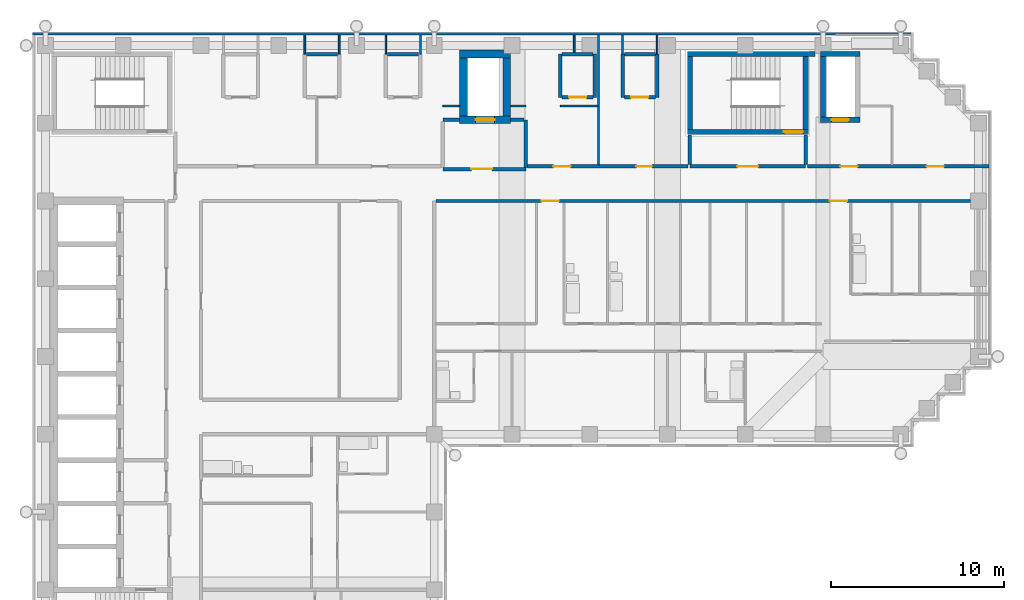
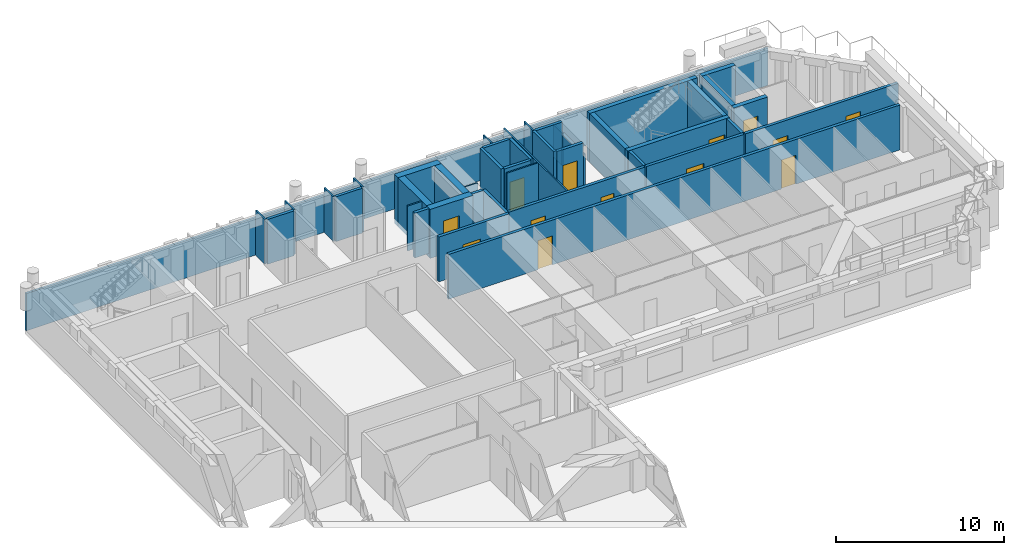
# One storey, part 6 of 9: 43 walls, 13 doors, 13 openings.
"""IFC4 building model written with IfcOpenShell, lengths in metres."""

from ifc_helpers import new_model, si_unit, direction, frame, frame_2d, origin, place, context, subcontext, project, spatial, rectangle, extrude, material, layer, layer_set, type_object, element, fill, save


model = new_model("IFC4")

# Units and contexts
model_context = context("Model", 3, precision=1e-05, world=origin(), true_north=direction((0.0, 1.0)))
body_context = subcontext(model_context, "Body", "Model", "MODEL_VIEW")
ifc_project = project(units=[si_unit("LENGTHUNIT", "METRE"), si_unit("AREAUNIT", "SQUARE_METRE"), si_unit("VOLUMEUNIT", "CUBIC_METRE"), si_unit("PLANEANGLEUNIT", "RADIAN"), si_unit("MASSUNIT", "GRAM", prefix="KILO")], contexts=[model_context])

# Site, building, storey
site_placement = place(None, origin())
site = spatial("IfcSite", under=ifc_project, at=site_placement, CompositionType="ELEMENT")
building_placement = place(site_placement, origin())
building = spatial("IfcBuilding", under=site, at=building_placement, Name="Firuza Court", CompositionType="ELEMENT")
storey_placement = place(building_placement, frame((0.0, 0.0, 229.39990234375)))
storey = spatial("IfcBuildingStorey", under=building, at=storey_placement, Name="L59", CompositionType="ELEMENT", Elevation=229.39990234375)

# Wall, opening, door
ifc_material_1 = material(Name="Concrete C50/60", Category="concrete")
ifc_layer_1 = layer(ifc_material_1, 0.300048828125)
ifc_layer_set_1 = layer_set([ifc_layer_1], Name="Concrete C50/60")
wall_type_1 = type_object("IfcWallType", Name="Core wall 300 C50/60", PredefinedType="SHEAR", material=ifc_layer_set_1)
wall_1_placement = place(storey_placement, frame((37.14990234375, 53.5, -0.2998046875), z_axis=(0.0, 0.0, 1.0), x_axis=(1.0, 0.0, 0.0)))
wall_1 = element("IfcWall", 1, at=wall_1_placement, inside=storey, type_object=wall_type_1, Name="Core wall stair L59", PredefinedType="SHEAR", context=body_context, shape_type="SweptSolid", body=[
    extrude(rectangle(XDim=7.0, YDim=0.300048828125, at=frame_2d((3.5, 0.0))), origin(), (0.0, 0.0, 1.0), 3.5498046875),
])
opening_1_placement = place(wall_1_placement, frame((5.580078125, 0.0, 0.300048828125)))
opening_1 = element("IfcOpeningElement", 2, at=opening_1_placement, cuts=wall_1, Name="Opening D59009", PredefinedType="OPENING", context=body_context, shape_type="SweptSolid", body=[
    extrude(rectangle(XDim=1.10009765625, YDim=2.10009765625, at=frame_2d((0.550048828125, 1.050048828125))), frame((0.0, 0.162109375, 0.0), z_axis=(0.0, -1.0, 0.0), x_axis=(1.0, 0.0, 0.0)), (0.0, 0.0, 1.0), 0.323974609375),
])
ifc_material_2 = material(Name="Timber door leaf in hardwood frame", Category="wood")
door_type_1 = type_object("IfcDoorType", Name="Stair door 1100", OperationType="SINGLE_SWING_LEFT", PredefinedType="DOOR", material=ifc_material_2)
door_1_placement = place(opening_1_placement, origin())
door_1 = element("IfcDoor", 3, at=door_1_placement, inside=storey, type_object=door_type_1, Name="Stair door S1", OperationType="SINGLE_SWING_RIGHT", OverallHeight=2.10009765625, OverallWidth=1.10009765625, PredefinedType="DOOR", context=body_context, shape_type="SweptSolid", body=[
    extrude(rectangle(XDim=1.10009765625, YDim=2.10009765625, at=frame_2d((0.550048828125, 1.050048828125))), frame((0.0, 0.02490234375, 0.0), z_axis=(0.0, -1.0, 0.0), x_axis=(1.0, 0.0, 0.0)), (0.0, 0.0, 1.0), 0.050048828125),
])
fill(opening_1, door_1)

# Walls
wall_2_placement = place(storey_placement, frame((37.14990234375, 58.0, -0.2998046875), z_axis=(0.0, 0.0, 1.0), x_axis=(1.0, 0.0, 0.0)))
element("IfcWall", 4, at=wall_2_placement, inside=storey, type_object=wall_type_1, Name="Core wall stair L59", PredefinedType="SHEAR", context=body_context, shape_type="SweptSolid", body=[
    extrude(rectangle(XDim=7.400146484375, YDim=0.300048828125, at=frame_2d((3.7001953125, 0.0))), origin(), (0.0, 0.0, 1.0), 3.5498046875),
])
for number, where, z_axis, x_axis, name in (
    (5, (37.300048828125, 53.64990234375, -0.2998046875), (0.0, 0.0, 1.0), (0.0, 1.0, 0.0), "Core wall stair L59"),
    (6, (44.0, 53.64990234375, -0.2998046875), (0.0, 0.0, 1.0), (0.0, 1.0, 0.0), "Core wall stair L59"),
):
    element("IfcWall", number, at=place(storey_placement, frame(where, z_axis=z_axis, x_axis=x_axis)), inside=storey, type_object=wall_type_1, Name=name, PredefinedType="SHEAR", context=body_context, shape_type="SweptSolid", body=[
        extrude(rectangle(XDim=4.2001953125, YDim=0.300048828125, at=frame_2d((2.10009765625, 0.0))), origin(), (0.0, 0.0, 1.0), 3.5498046875),
    ])

# Wall, opening, door
wall_3_placement = place(storey_placement, frame((44.85009765625, 54.199951171875, -0.2998046875), z_axis=(0.0, 0.0, 1.0), x_axis=(1.0, 0.0, 0.0)))
wall_3 = element("IfcWall", 7, at=wall_3_placement, inside=storey, type_object=wall_type_1, Name="Core wall riser L59", PredefinedType="SHEAR", context=body_context, shape_type="SweptSolid", body=[
    extrude(rectangle(XDim=2.2998046875, YDim=0.300048828125, at=frame_2d((1.14990234375, 0.0))), origin(), (0.0, 0.0, 1.0), 3.5498046875),
])
opening_2_placement = place(wall_3_placement, frame((0.64990234375, 0.0, 0.300048828125)))
opening_2 = element("IfcOpeningElement", 8, at=opening_2_placement, cuts=wall_3, Name="Opening D59008", PredefinedType="OPENING", context=body_context, shape_type="SweptSolid", body=[
    extrude(rectangle(XDim=1.0, YDim=2.10009765625, at=frame_2d((0.5, 1.050048828125))), frame((0.0, 0.162109375, 0.0), z_axis=(0.0, -1.0, 0.0), x_axis=(1.0, 0.0, 0.0)), (0.0, 0.0, 1.0), 0.323974609375),
])
ifc_material_3 = material(Name="Timber door leaf in hardwood frame", Category="wood")
door_type_2 = type_object("IfcDoorType", Name="Riser door 1000", OperationType="SINGLE_SWING_LEFT", PredefinedType="DOOR", material=ifc_material_3)
door_2_placement = place(opening_2_placement, origin())
door_2 = element("IfcDoor", 9, at=door_2_placement, inside=storey, type_object=door_type_2, Name="Riser door R3", OperationType="SINGLE_SWING_LEFT", OverallHeight=2.10009765625, OverallWidth=1.0, PredefinedType="DOOR", context=body_context, shape_type="SweptSolid", body=[
    extrude(rectangle(XDim=1.0, YDim=2.10009765625, at=frame_2d((0.5, 1.050048828125))), frame((0.0, 0.02490234375, 0.0), z_axis=(0.0, -1.0, 0.0), x_axis=(1.0, 0.0, 0.0)), (0.0, 0.0, 1.0), 0.050048828125),
])
fill(opening_2, door_2)

# Walls
wall_4_placement = place(storey_placement, frame((44.85009765625, 58.0, -0.2998046875), z_axis=(0.0, 0.0, 1.0), x_axis=(1.0, 0.0, 0.0)))
element("IfcWall", 10, at=wall_4_placement, inside=storey, type_object=wall_type_1, Name="Core wall riser L59", PredefinedType="SHEAR", context=body_context, shape_type="SweptSolid", body=[
    extrude(rectangle(XDim=2.2998046875, YDim=0.300048828125, at=frame_2d((1.14990234375, 0.0))), origin(), (0.0, 0.0, 1.0), 3.5498046875),
])
wall_5_placement = place(storey_placement, frame((45.0, 54.35009765625, -0.2998046875), z_axis=(0.0, 0.0, 1.0), x_axis=(0.0, 1.0, 0.0)))
element("IfcWall", 11, at=wall_5_placement, inside=storey, type_object=wall_type_1, Name="Core wall riser L59", PredefinedType="SHEAR", context=body_context, shape_type="SweptSolid", body=[
    extrude(rectangle(XDim=3.5, YDim=0.300048828125, at=frame_2d((1.75, 0.0))), origin(), (0.0, 0.0, 1.0), 3.5498046875),
])

# Wall, opening, door
ifc_layer_2 = layer(ifc_material_1, 0.449951171875)
ifc_layer_set_2 = layer_set([ifc_layer_2], Name="Concrete C50/60")
wall_type_2 = type_object("IfcWallType", Name="Core wall 450 C50/60", PredefinedType="SHEAR", material=ifc_layer_set_2)
wall_6_placement = place(storey_placement, frame((23.97509765625, 54.199951171875, -0.2998046875), z_axis=(0.0, 0.0, 1.0), x_axis=(1.0, 0.0, 0.0)))
wall_6 = element("IfcWall", 12, at=wall_6_placement, inside=storey, type_object=wall_type_2, Name="Core wall lift shaft L59", PredefinedType="SHEAR", context=body_context, shape_type="SweptSolid", body=[
    extrude(rectangle(XDim=2.949951171875, YDim=0.449951171875, at=frame_2d((1.47509765625, 0.0))), origin(), (0.0, 0.0, 1.0), 3.5498046875),
])
opening_3_placement = place(wall_6_placement, frame((0.925048828125, 0.0, 0.300048828125)))
opening_3 = element("IfcOpeningElement", 13, at=opening_3_placement, cuts=wall_6, Name="Opening LD-FL3-59", PredefinedType="OPENING", context=body_context, shape_type="SweptSolid", body=[
    extrude(rectangle(XDim=1.10009765625, YDim=2.10009765625, at=frame_2d((0.550048828125, 1.050048828125))), frame((0.0, 0.23681640625, 0.0), z_axis=(0.0, -1.0, 0.0), x_axis=(1.0, 0.0, 0.0)), (0.0, 0.0, 1.0), 0.473876953125),
])
ifc_material_4 = material(Name="Stainless steel 1.4301 door leaf", Category="steel")
door_type_3 = type_object("IfcDoorType", Name="Lift landing door 1100", OperationType="SLIDING_TO_LEFT", PredefinedType="DOOR", material=ifc_material_4)
door_3_placement = place(opening_3_placement, origin())
door_3 = element("IfcDoor", 14, at=door_3_placement, inside=storey, type_object=door_type_3, Name="Landing door FL3", OperationType="SLIDING_TO_LEFT", OverallHeight=2.10009765625, OverallWidth=1.10009765625, PredefinedType="DOOR", context=body_context, shape_type="SweptSolid", body=[
    extrude(rectangle(XDim=1.10009765625, YDim=2.10009765625, at=frame_2d((0.550048828125, 1.050048828125))), frame((0.0, 0.02490234375, 0.0), z_axis=(0.0, -1.0, 0.0), x_axis=(1.0, 0.0, 0.0)), (0.0, 0.0, 1.0), 0.050048828125),
])
fill(opening_3, door_3)

# Walls
wall_7_placement = place(storey_placement, frame((23.97509765625, 58.0, -0.2998046875), z_axis=(0.0, 0.0, 1.0), x_axis=(1.0, 0.0, 0.0)))
element("IfcWall", 15, at=wall_7_placement, inside=storey, type_object=wall_type_2, Name="Core wall lift shaft L59", PredefinedType="SHEAR", context=body_context, shape_type="SweptSolid", body=[
    extrude(rectangle(XDim=2.949951171875, YDim=0.449951171875, at=frame_2d((1.47509765625, 0.0))), origin(), (0.0, 0.0, 1.0), 3.5498046875),
])
for number, where, z_axis, x_axis, name in (
    (16, (24.199951171875, 54.425048828125, -0.2998046875), (0.0, 0.0, 1.0), (0.0, 1.0, 0.0), "Core wall lift shaft L59"),
    (17, (26.699951171875, 54.425048828125, -0.2998046875), (0.0, 0.0, 1.0), (0.0, 1.0, 0.0), "Core wall lift shaft L59"),
):
    element("IfcWall", number, at=place(storey_placement, frame(where, z_axis=z_axis, x_axis=x_axis)), inside=storey, type_object=wall_type_2, Name=name, PredefinedType="SHEAR", context=body_context, shape_type="SweptSolid", body=[
        extrude(rectangle(XDim=3.349853515625, YDim=0.449951171875, at=frame_2d((1.6748046875, 0.0))), origin(), (0.0, 0.0, 1.0), 3.5498046875),
    ])

# Wall, openings, doors
ifc_material_5 = material(Name="Blockwork, plastered both sides", Category="masonry")
ifc_layer_3 = layer(ifc_material_5, 0.199951171875)
ifc_layer_set_3 = layer_set([ifc_layer_3], Name="Blockwork, plastered both sides")
wall_type_3 = type_object("IfcWallType", Name="Corridor wall 200", PredefinedType="PARTITIONING", material=ifc_layer_set_3)
wall_8_placement = place(storey_placement, frame((22.60009765625, 49.5, 0.0), z_axis=(0.0, 0.0, 1.0), x_axis=(1.0, 0.0, 0.0)))
wall_8 = element("IfcWall", 18, at=wall_8_placement, inside=storey, type_object=wall_type_3, Name="Corridor wall 200 L59", PredefinedType="PARTITIONING", context=body_context, shape_type="SweptSolid", body=[
    extrude(rectangle(XDim=30.949951171875, YDim=0.199951171875, at=frame_2d((15.47509765625, 0.0))), origin(), (0.0, 0.0, 1.0), 3.25),
])
opening_4_placement = place(wall_8_placement, frame((6.115478515625, 0.0, 0.0)))
opening_4 = element("IfcOpeningElement", 19, at=opening_4_placement, cuts=wall_8, Name="Opening D59046", PredefinedType="OPENING", context=body_context, shape_type="SweptSolid", body=[
    extrude(rectangle(XDim=1.0, YDim=2.10009765625, at=frame_2d((0.5, 1.050048828125))), frame((0.0, 0.11181640625, 0.0), z_axis=(0.0, -1.0, 0.0), x_axis=(1.0, 0.0, 0.0)), (0.0, 0.0, 1.0), 0.223876953125),
])
opening_5_placement = place(wall_8_placement, frame((22.800048828125, 0.0, 0.0)))
opening_5 = element("IfcOpeningElement", 20, at=opening_5_placement, cuts=wall_8, Name="Opening D59047", PredefinedType="OPENING", context=body_context, shape_type="SweptSolid", body=[
    extrude(rectangle(XDim=1.0, YDim=2.10009765625, at=frame_2d((0.5, 1.050048828125))), frame((0.0, 0.11181640625, 0.0), z_axis=(0.0, -1.0, 0.0), x_axis=(1.0, 0.0, 0.0)), (0.0, 0.0, 1.0), 0.223876953125),
])
ifc_material_6 = material(Name="Timber door leaf in hardwood frame", Category="wood")
door_type_4 = type_object("IfcDoorType", Name="Flat entrance door 1000", OperationType="SINGLE_SWING_LEFT", PredefinedType="DOOR", material=ifc_material_6)
door_4_placement = place(opening_4_placement, origin())
door_4 = element("IfcDoor", 21, at=door_4_placement, inside=storey, type_object=door_type_4, Name="Flat entrance door", OperationType="SINGLE_SWING_LEFT", OverallHeight=2.10009765625, OverallWidth=1.0, PredefinedType="DOOR", context=body_context, shape_type="SweptSolid", body=[
    extrude(rectangle(XDim=1.0, YDim=2.10009765625, at=frame_2d((0.5, 1.050048828125))), frame((0.0, 0.02490234375, 0.0), z_axis=(0.0, -1.0, 0.0), x_axis=(1.0, 0.0, 0.0)), (0.0, 0.0, 1.0), 0.050048828125),
])
fill(opening_4, door_4)
door_5_placement = place(opening_5_placement, origin())
door_5 = element("IfcDoor", 22, at=door_5_placement, inside=storey, type_object=door_type_4, Name="Flat entrance door", OperationType="SINGLE_SWING_LEFT", OverallHeight=2.10009765625, OverallWidth=1.0, PredefinedType="DOOR", context=body_context, shape_type="SweptSolid", body=[
    extrude(rectangle(XDim=1.0, YDim=2.10009765625, at=frame_2d((0.5, 1.050048828125))), frame((0.0, 0.02490234375, 0.0), z_axis=(0.0, -1.0, 0.0), x_axis=(1.0, 0.0, 0.0)), (0.0, 0.0, 1.0), 0.050048828125),
])
fill(opening_5, door_5)

wall_9_placement = place(storey_placement, frame((27.89990234375, 51.5, 0.0), z_axis=(0.0, 0.0, 1.0), x_axis=(1.0, 0.0, 0.0)))
wall_9 = element("IfcWall", 23, at=wall_9_placement, inside=storey, type_object=wall_type_3, Name="Corridor wall 200 L59", PredefinedType="PARTITIONING", context=body_context, shape_type="SweptSolid", body=[
    extrude(rectangle(XDim=9.300048828125, YDim=0.199951171875, at=frame_2d((4.64990234375, 0.0))), origin(), (0.0, 0.0, 1.0), 3.25),
])
opening_6_placement = place(wall_9_placement, frame((1.5, 0.0, 0.0)))
opening_6 = element("IfcOpeningElement", 24, at=opening_6_placement, cuts=wall_9, Name="Opening D59050", PredefinedType="OPENING", context=body_context, shape_type="SweptSolid", body=[
    extrude(rectangle(XDim=1.0, YDim=2.10009765625, at=frame_2d((0.5, 1.050048828125))), frame((0.0, 0.11181640625, 0.0), z_axis=(0.0, -1.0, 0.0), x_axis=(1.0, 0.0, 0.0)), (0.0, 0.0, 1.0), 0.223876953125),
])
opening_7_placement = place(wall_9_placement, frame((6.300048828125, 0.0, 0.0)))
opening_7 = element("IfcOpeningElement", 25, at=opening_7_placement, cuts=wall_9, Name="Opening D59051", PredefinedType="OPENING", context=body_context, shape_type="SweptSolid", body=[
    extrude(rectangle(XDim=0.89990234375, YDim=2.10009765625, at=frame_2d((0.449951171875, 1.050048828125))), frame((0.0, 0.11181640625, 0.0), z_axis=(0.0, -1.0, 0.0), x_axis=(1.0, 0.0, 0.0)), (0.0, 0.0, 1.0), 0.223876953125),
])
ifc_material_7 = material(Name="Timber door leaf in hardwood frame", Category="wood")
door_type_5 = type_object("IfcDoorType", Name="Room door 900 EI 30", OperationType="SINGLE_SWING_LEFT", PredefinedType="DOOR", material=ifc_material_7)
door_6_placement = place(opening_7_placement, origin())
door_6 = element("IfcDoor", 26, at=door_6_placement, inside=storey, type_object=door_type_5, Name="Staff pantry door", OperationType="SINGLE_SWING_LEFT", OverallHeight=2.10009765625, OverallWidth=0.89990234375, PredefinedType="DOOR", context=body_context, shape_type="SweptSolid", body=[
    extrude(rectangle(XDim=0.89990234375, YDim=2.10009765625, at=frame_2d((0.449951171875, 1.050048828125))), frame((0.0, 0.02490234375, 0.0), z_axis=(0.0, -1.0, 0.0), x_axis=(1.0, 0.0, 0.0)), (0.0, 0.0, 1.0), 0.050048828125),
])
fill(opening_7, door_6)
ifc_material_8 = material(Name="Timber door leaf in hardwood frame", Category="wood")
door_type_6 = type_object("IfcDoorType", Name="Store door 1000", OperationType="SINGLE_SWING_LEFT", PredefinedType="DOOR", material=ifc_material_8)
door_7_placement = place(opening_6_placement, origin())
door_7 = element("IfcDoor", 27, at=door_7_placement, inside=storey, type_object=door_type_6, Name="Parcel room door", OperationType="SINGLE_SWING_LEFT", OverallHeight=2.10009765625, OverallWidth=1.0, PredefinedType="DOOR", context=body_context, shape_type="SweptSolid", body=[
    extrude(rectangle(XDim=1.0, YDim=2.10009765625, at=frame_2d((0.5, 1.050048828125))), frame((0.0, 0.02490234375, 0.0), z_axis=(0.0, -1.0, 0.0), x_axis=(1.0, 0.0, 0.0)), (0.0, 0.0, 1.0), 0.050048828125),
])
fill(opening_6, door_7)

wall_10_placement = place(storey_placement, frame((44.10009765625, 51.5, 0.0), z_axis=(0.0, 0.0, 1.0), x_axis=(1.0, 0.0, 0.0)))
wall_10 = element("IfcWall", 28, at=wall_10_placement, inside=storey, type_object=wall_type_3, Name="Corridor wall 200 L59", PredefinedType="PARTITIONING", context=body_context, shape_type="SweptSolid", body=[
    extrude(rectangle(XDim=10.5, YDim=0.199951171875, at=frame_2d((5.25, 0.0))), origin(), (0.0, 0.0, 1.0), 3.25),
])
opening_8_placement = place(wall_10_placement, frame((1.89990234375, 0.0, 0.0)))
opening_8 = element("IfcOpeningElement", 29, at=opening_8_placement, cuts=wall_10, Name="Opening D59052", PredefinedType="OPENING", context=body_context, shape_type="SweptSolid", body=[
    extrude(rectangle(XDim=1.0, YDim=2.10009765625, at=frame_2d((0.5, 1.050048828125))), frame((0.0, 0.11181640625, 0.0), z_axis=(0.0, -1.0, 0.0), x_axis=(1.0, 0.0, 0.0)), (0.0, 0.0, 1.0), 0.223876953125),
])
opening_9_placement = place(wall_10_placement, frame((6.89990234375, 0.0, 0.0)))
opening_9 = element("IfcOpeningElement", 30, at=opening_9_placement, cuts=wall_10, Name="Opening D59053", PredefinedType="OPENING", context=body_context, shape_type="SweptSolid", body=[
    extrude(rectangle(XDim=1.0, YDim=2.10009765625, at=frame_2d((0.5, 1.050048828125))), frame((0.0, 0.11181640625, 0.0), z_axis=(0.0, -1.0, 0.0), x_axis=(1.0, 0.0, 0.0)), (0.0, 0.0, 1.0), 0.223876953125),
])
door_8_placement = place(opening_8_placement, origin())
door_8 = element("IfcDoor", 31, at=door_8_placement, inside=storey, type_object=door_type_6, Name="Cleaner's store door", OperationType="SINGLE_SWING_LEFT", OverallHeight=2.10009765625, OverallWidth=1.0, PredefinedType="DOOR", context=body_context, shape_type="SweptSolid", body=[
    extrude(rectangle(XDim=1.0, YDim=2.10009765625, at=frame_2d((0.5, 1.050048828125))), frame((0.0, 0.02490234375, 0.0), z_axis=(0.0, -1.0, 0.0), x_axis=(1.0, 0.0, 0.0)), (0.0, 0.0, 1.0), 0.050048828125),
])
fill(opening_8, door_8)
door_9_placement = place(opening_9_placement, origin())
door_9 = element("IfcDoor", 32, at=door_9_placement, inside=storey, type_object=door_type_6, Name="Bicycle store door", OperationType="SINGLE_SWING_LEFT", OverallHeight=2.10009765625, OverallWidth=1.0, PredefinedType="DOOR", context=body_context, shape_type="SweptSolid", body=[
    extrude(rectangle(XDim=1.0, YDim=2.10009765625, at=frame_2d((0.5, 1.050048828125))), frame((0.0, 0.02490234375, 0.0), z_axis=(0.0, -1.0, 0.0), x_axis=(1.0, 0.0, 0.0)), (0.0, 0.0, 1.0), 0.050048828125),
])
fill(opening_9, door_9)

# Walls
ifc_material_9 = material(Name="Timber stud partition, plasterboard both sides", Category="wood")
ifc_layer_4 = layer(ifc_material_9, 0.10009765625)
ifc_layer_set_4 = layer_set([ifc_layer_4], Name="Timber stud partition, plasterboard both sides")
wall_type_4 = type_object("IfcWallType", Name="Partition wall 100", PredefinedType="PARTITIONING", material=ifc_layer_set_4)
wall_11_placement = place(storey_placement, frame((32.0, 51.60009765625, 0.0), z_axis=(0.0, 0.0, 1.0), x_axis=(0.0, 1.0, 0.0)))
element("IfcWall", 33, at=wall_11_placement, inside=storey, type_object=wall_type_4, Name="Partition wall 100 L59", PredefinedType="PARTITIONING", context=body_context, shape_type="SweptSolid", body=[
    extrude(rectangle(XDim=7.5, YDim=0.10009765625, at=frame_2d((3.75, 0.0))), origin(), (0.0, 0.0, 1.0), 3.25),
])
wall_12_placement = place(storey_placement, frame((23.0, 55.0, 0.0), z_axis=(0.0, 0.0, 1.0), x_axis=(1.0, 0.0, 0.0)))
element("IfcWall", 34, at=wall_12_placement, inside=storey, type_object=wall_type_4, Name="Partition wall 100 L59", PredefinedType="PARTITIONING", context=body_context, shape_type="SweptSolid", body=[
    extrude(rectangle(XDim=0.97509765625, YDim=0.10009765625, at=frame_2d((0.487548828125, 0.0))), origin(), (0.0, 0.0, 1.0), 3.25),
])
wall_13_placement = place(storey_placement, frame((26.925048828125, 55.0, 0.0), z_axis=(0.0, 0.0, 1.0), x_axis=(1.0, 0.0, 0.0)))
element("IfcWall", 35, at=wall_13_placement, inside=storey, type_object=wall_type_4, Name="Partition wall 100 L59", PredefinedType="PARTITIONING", context=body_context, shape_type="SweptSolid", body=[
    extrude(rectangle(XDim=0.875, YDim=0.10009765625, at=frame_2d((0.4375, 0.0))), origin(), (0.0, 0.0, 1.0), 3.25),
])
wall_14_placement = place(storey_placement, frame((29.800048828125, 55.0, 0.0), z_axis=(0.0, 0.0, 1.0), x_axis=(1.0, 0.0, 0.0)))
element("IfcWall", 36, at=wall_14_placement, inside=storey, type_object=wall_type_4, Name="Partition wall 100 L59", PredefinedType="PARTITIONING", context=body_context, shape_type="SweptSolid", body=[
    extrude(rectangle(XDim=2.14990234375, YDim=0.10009765625, at=frame_2d((1.074951171875, 0.0))), origin(), (0.0, 0.0, 1.0), 3.25),
])
for number, where, z_axis, x_axis, name in (
    (37, (15.0, 58.0, 0.0), (0.0, 0.0, 1.0), (0.0, 1.0, 0.0), "Partition wall 100 L59"),
    (38, (17.0, 58.0, 0.0), (0.0, 0.0, 1.0), (0.0, 1.0, 0.0), "Partition wall 100 L59"),
    (39, (19.699951171875, 58.0, 0.0), (0.0, 0.0, 1.0), (0.0, 1.0, 0.0), "Partition wall 100 L59"),
    (40, (21.699951171875, 58.0, 0.0), (0.0, 0.0, 1.0), (0.0, 1.0, 0.0), "Partition wall 100 L59"),
    (41, (33.39990234375, 58.0, 0.0), (0.0, 0.0, 1.0), (0.0, 1.0, 0.0), "Partition wall 100 L59"),
):
    element("IfcWall", number, at=place(storey_placement, frame(where, z_axis=z_axis, x_axis=x_axis)), inside=storey, type_object=wall_type_4, Name=name, PredefinedType="PARTITIONING", context=body_context, shape_type="SweptSolid", body=[
        extrude(rectangle(XDim=1.10009765625, YDim=0.10009765625, at=frame_2d((0.550048828125, 0.0))), origin(), (0.0, 0.0, 1.0), 3.25),
    ])
wall_15_placement = place(storey_placement, frame((35.39990234375, 58.0, 0.0), z_axis=(0.0, 0.0, 1.0), x_axis=(0.0, 1.0, 0.0)))
element("IfcWall", 42, at=wall_15_placement, inside=storey, type_object=wall_type_4, Name="Partition wall 100 L59", PredefinedType="PARTITIONING", context=body_context, shape_type="SweptSolid", body=[
    extrude(rectangle(XDim=1.10009765625, YDim=0.10009765625, at=frame_2d((0.550048828125, 0.0))), origin(), (0.0, 0.0, 1.0), 2.35009765625),
])
wall_16_placement = place(storey_placement, frame((30.60009765625, 58.10009765625, 0.0), z_axis=(0.0, 0.0, 1.0), x_axis=(0.0, 1.0, 0.0)))
element("IfcWall", 43, at=wall_16_placement, inside=storey, type_object=wall_type_4, Name="Partition wall 100 L59", PredefinedType="PARTITIONING", context=body_context, shape_type="SweptSolid", body=[
    extrude(rectangle(XDim=1.0, YDim=0.10009765625, at=frame_2d((0.5, 0.0))), origin(), (0.0, 0.0, 1.0), 3.25),
])
ifc_material_10 = material(Name="Blockwork, fire-rated", Category="masonry")
ifc_layer_5 = layer(ifc_material_10, 0.199951171875)
ifc_layer_set_5 = layer_set([ifc_layer_5], Name="Blockwork, fire-rated")
wall_type_5 = type_object("IfcWallType", Name="Plant room wall 200", PredefinedType="PARTITIONING", material=ifc_layer_set_5)
wall_17_placement = place(storey_placement, frame((29.800048828125, 55.5, 0.0), z_axis=(0.0, 0.0, 1.0), x_axis=(0.0, 1.0, 0.0)))
element("IfcWall", 44, at=wall_17_placement, inside=storey, type_object=wall_type_5, Name="Plant room wall 200 L59", PredefinedType="PARTITIONING", context=body_context, shape_type="SweptSolid", body=[
    extrude(rectangle(XDim=2.5, YDim=0.199951171875, at=frame_2d((1.25, 0.0))), origin(), (0.0, 0.0, 1.0), 3.25),
])

# Wall, opening, door
wall_18_placement = place(storey_placement, frame((29.89990234375, 55.5, 0.0), z_axis=(0.0, 0.0, 1.0), x_axis=(1.0, 0.0, 0.0)))
wall_18 = element("IfcWall", 45, at=wall_18_placement, inside=storey, type_object=wall_type_5, Name="Plant room wall 200 L59", PredefinedType="PARTITIONING", context=body_context, shape_type="SweptSolid", body=[
    extrude(rectangle(XDim=1.800048828125, YDim=0.199951171875, at=frame_2d((0.89990234375, 0.0))), origin(), (0.0, 0.0, 1.0), 3.25),
])
opening_10_placement = place(wall_18_placement, frame((0.39990234375, 0.0, 0.0)))
opening_10 = element("IfcOpeningElement", 46, at=opening_10_placement, cuts=wall_18, Name="Opening D59057", PredefinedType="OPENING", context=body_context, shape_type="SweptSolid", body=[
    extrude(rectangle(XDim=1.0, YDim=2.10009765625, at=frame_2d((0.5, 1.050048828125))), frame((0.0, 0.11181640625, 0.0), z_axis=(0.0, -1.0, 0.0), x_axis=(1.0, 0.0, 0.0)), (0.0, 0.0, 1.0), 0.223876953125),
])
door_10_placement = place(opening_10_placement, origin())
door_10 = element("IfcDoor", 47, at=door_10_placement, inside=storey, type_object=door_type_2, Name="Electrical riser door", OperationType="SINGLE_SWING_LEFT", OverallHeight=2.10009765625, OverallWidth=1.0, PredefinedType="DOOR", context=body_context, shape_type="SweptSolid", body=[
    extrude(rectangle(XDim=1.0, YDim=2.10009765625, at=frame_2d((0.5, 1.050048828125))), frame((0.0, 0.02490234375, 0.0), z_axis=(0.0, -1.0, 0.0), x_axis=(1.0, 0.0, 0.0)), (0.0, 0.0, 1.0), 0.050048828125),
])
fill(opening_10, door_10)

# Walls
for number, where, z_axis, x_axis, name in (
    (48, (31.800048828125, 55.5, 0.0), (0.0, 0.0, 1.0), (0.0, 1.0, 0.0), "Plant room wall 200 L59"),
    (49, (33.39990234375, 55.5, 0.0), (0.0, 0.0, 1.0), (0.0, 1.0, 0.0), "Plant room wall 200 L59"),
):
    element("IfcWall", number, at=place(storey_placement, frame(where, z_axis=z_axis, x_axis=x_axis)), inside=storey, type_object=wall_type_5, Name=name, PredefinedType="PARTITIONING", context=body_context, shape_type="SweptSolid", body=[
        extrude(rectangle(XDim=2.5, YDim=0.199951171875, at=frame_2d((1.25, 0.0))), origin(), (0.0, 0.0, 1.0), 3.25),
    ])

# Wall, opening, door
wall_19_placement = place(storey_placement, frame((33.5, 55.5, 0.0), z_axis=(0.0, 0.0, 1.0), x_axis=(1.0, 0.0, 0.0)))
wall_19 = element("IfcWall", 50, at=wall_19_placement, inside=storey, type_object=wall_type_5, Name="Plant room wall 200 L59", PredefinedType="PARTITIONING", context=body_context, shape_type="SweptSolid", body=[
    extrude(rectangle(XDim=1.800048828125, YDim=0.199951171875, at=frame_2d((0.89990234375, 0.0))), origin(), (0.0, 0.0, 1.0), 3.25),
])
opening_11_placement = place(wall_19_placement, frame((0.39990234375, 0.0, 0.0)))
opening_11 = element("IfcOpeningElement", 51, at=opening_11_placement, cuts=wall_19, Name="Opening D59058", PredefinedType="OPENING", context=body_context, shape_type="SweptSolid", body=[
    extrude(rectangle(XDim=1.0, YDim=2.10009765625, at=frame_2d((0.5, 1.050048828125))), frame((0.0, 0.11181640625, 0.0), z_axis=(0.0, -1.0, 0.0), x_axis=(1.0, 0.0, 0.0)), (0.0, 0.0, 1.0), 0.223876953125),
])
door_11_placement = place(opening_11_placement, origin())
door_11 = element("IfcDoor", 52, at=door_11_placement, inside=storey, type_object=door_type_2, Name="Duct riser door", OperationType="SINGLE_SWING_LEFT", OverallHeight=2.10009765625, OverallWidth=1.0, PredefinedType="DOOR", context=body_context, shape_type="SweptSolid", body=[
    extrude(rectangle(XDim=1.0, YDim=2.10009765625, at=frame_2d((0.5, 1.050048828125))), frame((0.0, 0.02490234375, 0.0), z_axis=(0.0, -1.0, 0.0), x_axis=(1.0, 0.0, 0.0)), (0.0, 0.0, 1.0), 0.050048828125),
])
fill(opening_11, door_11)

# Walls
wall_20_placement = place(storey_placement, frame((35.39990234375, 55.5, 0.0), z_axis=(0.0, 0.0, 1.0), x_axis=(0.0, 1.0, 0.0)))
element("IfcWall", 53, at=wall_20_placement, inside=storey, type_object=wall_type_5, Name="Plant room wall 200 L59", PredefinedType="PARTITIONING", context=body_context, shape_type="SweptSolid", body=[
    extrude(rectangle(XDim=2.5, YDim=0.199951171875, at=frame_2d((1.25, 0.0))), origin(), (0.0, 0.0, 1.0), 2.35009765625),
])
wall_21_placement = place(storey_placement, frame((15.10009765625, 58.0, 0.0), z_axis=(0.0, 0.0, 1.0), x_axis=(1.0, 0.0, 0.0)))
element("IfcWall", 54, at=wall_21_placement, inside=storey, type_object=wall_type_5, Name="Plant room wall 200 L59", PredefinedType="PARTITIONING", context=body_context, shape_type="SweptSolid", body=[
    extrude(rectangle(XDim=1.7998046875, YDim=0.199951171875, at=frame_2d((0.89990234375, 0.0))), origin(), (0.0, 0.0, 1.0), 3.25),
])
for number, where, z_axis, x_axis, name in (
    (55, (19.800048828125, 58.0, 0.0), (0.0, 0.0, 1.0), (1.0, 0.0, 0.0), "Plant room wall 200 L59"),
    (56, (29.89990234375, 58.0, 0.0), (0.0, 0.0, 1.0), (1.0, 0.0, 0.0), "Plant room wall 200 L59"),
    (57, (33.5, 58.0, 0.0), (0.0, 0.0, 1.0), (1.0, 0.0, 0.0), "Plant room wall 200 L59"),
):
    element("IfcWall", number, at=place(storey_placement, frame(where, z_axis=z_axis, x_axis=x_axis)), inside=storey, type_object=wall_type_5, Name=name, PredefinedType="PARTITIONING", context=body_context, shape_type="SweptSolid", body=[
        extrude(rectangle(XDim=1.800048828125, YDim=0.199951171875, at=frame_2d((0.89990234375, 0.0))), origin(), (0.0, 0.0, 1.0), 3.25),
    ])
ifc_material_11 = material(Name="Ceramic tile", Category="ceramic")
ifc_layer_6 = layer(ifc_material_11, 0.02001953125)
ifc_material_12 = material(Name="Mineral wool insulation", Category="insulation")
ifc_layer_7 = layer(ifc_material_12, 0.050048828125)
ifc_material_13 = material(Name="Concrete C40/50 precast", Category="concrete")
ifc_layer_8 = layer(ifc_material_13, 0.080078125)
ifc_layer_set_6 = layer_set([ifc_layer_6, ifc_layer_7, ifc_layer_8], Name="Concrete C40/50 precast")
wall_type_6 = type_object("IfcWallType", Name="Precast cladding wall with turquoise TILE PANEL face 150", PredefinedType="STANDARD", material=ifc_layer_set_6)
wall_22_placement = place(storey_placement, frame((50.10009765625, 59.175048828125, 0.0), z_axis=(0.0, 0.0, 1.0), x_axis=(-1.0, 0.0, 0.0)))
element("IfcWall", 58, at=wall_22_placement, inside=storey, type_object=wall_type_6, Name="Facade wall L59 N", PredefinedType="STANDARD", context=body_context, shape_type="SweptSolid", body=[
    extrude(rectangle(XDim=50.85009765625, YDim=0.14990234375, at=frame_2d((25.425048828125, 0.0))), origin(), (0.0, 0.0, 1.0), 2.7001953125),
])

# Wall, opening, door
ifc_layer_9 = layer(ifc_material_10, 0.199951171875)
ifc_layer_set_7 = layer_set([ifc_layer_9], Name="Blockwork, fire-rated")
wall_type_7 = type_object("IfcWallType", Name="Shaft wall 200", PredefinedType="PARTITIONING", material=ifc_layer_set_7)
wall_23_placement = place(storey_placement, frame((23.0, 51.35009765625, 0.0), z_axis=(0.0, 0.0, 1.0), x_axis=(1.0, 0.0, 0.0)))
wall_23 = element("IfcWall", 59, at=wall_23_placement, inside=storey, type_object=wall_type_7, Name="Shaft wall 200 L59", PredefinedType="PARTITIONING", context=body_context, shape_type="SweptSolid", body=[
    extrude(rectangle(XDim=4.800048828125, YDim=0.199951171875, at=frame_2d((2.39990234375, 0.0))), origin(), (0.0, 0.0, 1.0), 3.25),
])
opening_12_placement = place(wall_23_placement, frame((1.64990234375, 0.0, 0.0)))
opening_12 = element("IfcOpeningElement", 60, at=opening_12_placement, cuts=wall_23, Name="Opening D59003", PredefinedType="OPENING", context=body_context, shape_type="SweptSolid", body=[
    extrude(rectangle(XDim=1.199951171875, YDim=2.10009765625, at=frame_2d((0.60009765625, 1.050048828125))), frame((0.0, 0.11181640625, 0.0), z_axis=(0.0, -1.0, 0.0), x_axis=(1.0, 0.0, 0.0)), (0.0, 0.0, 1.0), 0.223876953125),
])
ifc_material_14 = material(Name="Timber door leaf in hardwood frame", Category="wood")
door_type_7 = type_object("IfcDoorType", Name="Lobby door 1200", OperationType="SINGLE_SWING_LEFT", PredefinedType="DOOR", material=ifc_material_14)
door_12_placement = place(opening_12_placement, origin())
door_12 = element("IfcDoor", 61, at=door_12_placement, inside=storey, type_object=door_type_7, Name="Fire-fighting lobby door", OperationType="SINGLE_SWING_LEFT", OverallHeight=2.10009765625, OverallWidth=1.199951171875, PredefinedType="DOOR", context=body_context, shape_type="SweptSolid", body=[
    extrude(rectangle(XDim=1.199951171875, YDim=2.10009765625, at=frame_2d((0.60009765625, 1.050048828125))), frame((0.0, 0.02490234375, 0.0), z_axis=(0.0, -1.0, 0.0), x_axis=(1.0, 0.0, 0.0)), (0.0, 0.0, 1.0), 0.050048828125),
])
fill(opening_12, door_12)

# Walls
wall_24_placement = place(storey_placement, frame((27.800048828125, 51.449951171875, 0.0), z_axis=(0.0, 0.0, 1.0), x_axis=(0.0, 1.0, 0.0)))
element("IfcWall", 62, at=wall_24_placement, inside=storey, type_object=wall_type_7, Name="Shaft wall 200 L59", PredefinedType="PARTITIONING", context=body_context, shape_type="SweptSolid", body=[
    extrude(rectangle(XDim=2.75, YDim=0.199951171875, at=frame_2d((1.375, 0.0))), origin(), (0.0, 0.0, 1.0), 3.25),
])
wall_25_placement = place(storey_placement, frame((23.0, 54.199951171875, 0.0), z_axis=(0.0, 0.0, 1.0), x_axis=(1.0, 0.0, 0.0)))
element("IfcWall", 63, at=wall_25_placement, inside=storey, type_object=wall_type_7, Name="Shaft wall 200 L59", PredefinedType="PARTITIONING", context=body_context, shape_type="SweptSolid", body=[
    extrude(rectangle(XDim=0.97509765625, YDim=0.199951171875, at=frame_2d((0.487548828125, 0.0))), origin(), (0.0, 0.0, 1.0), 3.25),
])
wall_26_placement = place(storey_placement, frame((26.925048828125, 54.199951171875, 0.0), z_axis=(0.0, 0.0, 1.0), x_axis=(1.0, 0.0, 0.0)))
element("IfcWall", 64, at=wall_26_placement, inside=storey, type_object=wall_type_7, Name="Shaft wall 200 L59", PredefinedType="PARTITIONING", context=body_context, shape_type="SweptSolid", body=[
    extrude(rectangle(XDim=0.77490234375, YDim=0.199951171875, at=frame_2d((0.387451171875, 0.0))), origin(), (0.0, 0.0, 1.0), 3.25),
])

# Wall, opening, door
wall_27_placement = place(storey_placement, frame((37.300048828125, 51.5, 0.0), z_axis=(0.0, 0.0, 1.0), x_axis=(1.0, 0.0, 0.0)))
wall_27 = element("IfcWall", 65, at=wall_27_placement, inside=storey, type_object=wall_type_7, Name="Shaft wall 200 L59", PredefinedType="PARTITIONING", context=body_context, shape_type="SweptSolid", body=[
    extrude(rectangle(XDim=6.699951171875, YDim=0.199951171875, at=frame_2d((3.35009765625, 0.0))), origin(), (0.0, 0.0, 1.0), 3.25),
])
opening_13_placement = place(wall_27_placement, frame((2.75, 0.0, 0.0)))
opening_13 = element("IfcOpeningElement", 66, at=opening_13_placement, cuts=wall_27, Name="Opening D59006", PredefinedType="OPENING", context=body_context, shape_type="SweptSolid", body=[
    extrude(rectangle(XDim=1.199951171875, YDim=2.10009765625, at=frame_2d((0.60009765625, 1.050048828125))), frame((0.0, 0.11181640625, 0.0), z_axis=(0.0, -1.0, 0.0), x_axis=(1.0, 0.0, 0.0)), (0.0, 0.0, 1.0), 0.223876953125),
])
door_13_placement = place(opening_13_placement, origin())
door_13 = element("IfcDoor", 67, at=door_13_placement, inside=storey, type_object=door_type_7, Name="Lobby door", OperationType="SINGLE_SWING_LEFT", OverallHeight=2.10009765625, OverallWidth=1.199951171875, PredefinedType="DOOR", context=body_context, shape_type="SweptSolid", body=[
    extrude(rectangle(XDim=1.199951171875, YDim=2.10009765625, at=frame_2d((0.60009765625, 1.050048828125))), frame((0.0, 0.02490234375, 0.0), z_axis=(0.0, -1.0, 0.0), x_axis=(1.0, 0.0, 0.0)), (0.0, 0.0, 1.0), 0.050048828125),
])
fill(opening_13, door_13)

# Walls
for number, where, z_axis, x_axis, name in (
    (68, (44.0, 51.60009765625, 0.0), (0.0, 0.0, 1.0), (0.0, 1.0, 0.0), "Shaft wall 200 L59"),
    (69, (37.300048828125, 51.60009765625, 0.0), (0.0, 0.0, 1.0), (0.0, 1.0, 0.0), "Shaft wall 200 L59"),
):
    element("IfcWall", number, at=place(storey_placement, frame(where, z_axis=z_axis, x_axis=x_axis)), inside=storey, type_object=wall_type_7, Name=name, PredefinedType="PARTITIONING", context=body_context, shape_type="SweptSolid", body=[
        extrude(rectangle(XDim=1.72998046875, YDim=0.199951171875, at=frame_2d((0.864990234375, 0.0))), origin(), (0.0, 0.0, 1.0), 3.25),
    ])

save(model, "model.ifc")
